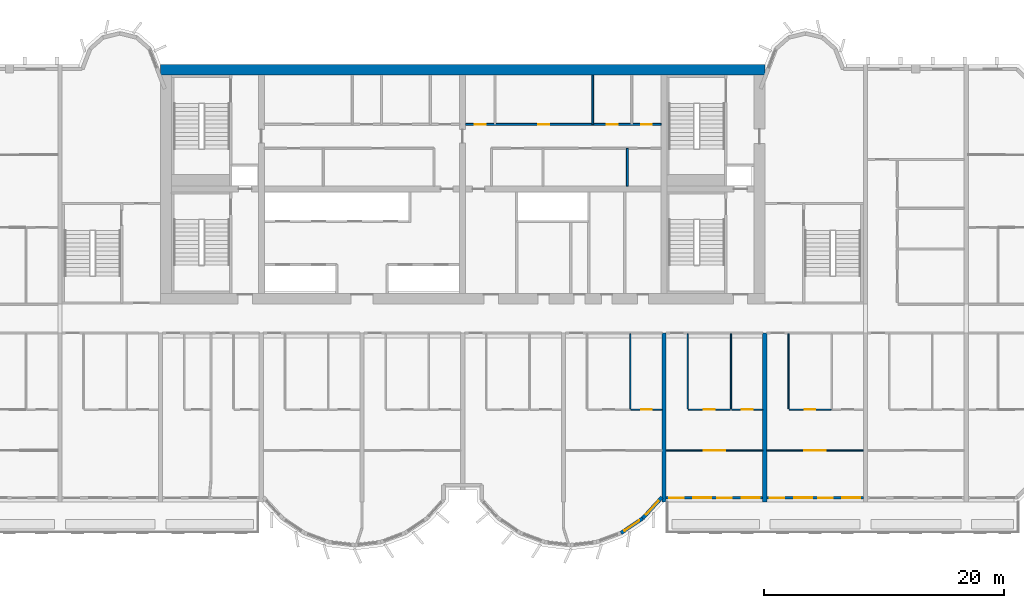
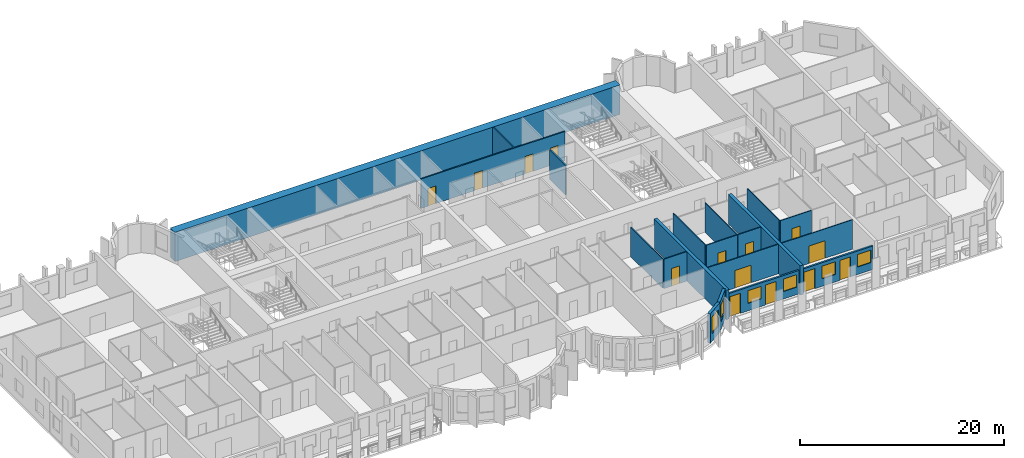
# One storey, part 8 of 15: 20 walls, 14 doors, 6 windows, 20 openings.
"""IFC4 building model written with IfcOpenShell, lengths in metres."""

import ifcopenshell
import ifcopenshell.guid

model = None  # the IFC model being written
_history = None  # IfcOwnerHistory: only IFC2X3 demands one
_inside = {}  # id of a spatial element -> (the spatial element, [elements in it])
_under = {}  # id of a project, library or spatial element -> (it, [spatial elements below it])
_declared = {}  # id of a project -> (the project, [libraries it declares])
_typed = {}  # id of a type object -> (the type object, [elements of that type])
_made_of = {}  # id of a material, layer set ... -> (it, [elements and type objects made of it])


def new_model(schema):
    """Start an empty IFC model of exactly this schema.

    Asked for "IFC4X3", IfcOpenShell would pick the latest addendum, in which some entities
    have other attributes; the version numbers below select the first issue.
    IFC2X3 requires an IfcOwnerHistory on every rooted entity: one is made here for all.
    """
    global model, _history
    if schema == "IFC4X3":
        model = ifcopenshell.file(schema_version=(4, 3, 0, 0))
    else:
        model = ifcopenshell.file(schema=schema)
    _inside.clear()
    _under.clear()
    _declared.clear()
    _typed.clear()
    _made_of.clear()
    _history = None
    if model.schema == "IFC2X3":
        org = make("IfcOrganization", Name="unknown")
        user = make(
            "IfcPersonAndOrganization",
            ThePerson=make("IfcPerson", FamilyName="unknown"),
            TheOrganization=org,
        )
        app = make(
            "IfcApplication",
            ApplicationDeveloper=org,
            Version="unknown",
            ApplicationFullName="unknown",
            ApplicationIdentifier="unknown",
        )
        _history = make(
            "IfcOwnerHistory",
            OwningUser=user,
            OwningApplication=app,
            ChangeAction="ADDED",
            CreationDate=0,
        )
    return model


def make(cls, **values):
    """One entity of the class cls with the attributes given. An attribute that is None is left unset."""
    return model.create_entity(
        cls, **{name: value for name, value in values.items() if value is not None}
    )


def rooted(cls, **values):
    """An entity with a GlobalId (a new one), such as an element, a storey or a relation."""
    return make(cls, GlobalId=ifcopenshell.guid.new(), OwnerHistory=_history, **values)


def si_unit(unit_type, name, prefix=None):
    """IfcSIUnit, for example si_unit("LENGTHUNIT", "METRE", prefix="MILLI")."""
    return make("IfcSIUnit", UnitType=unit_type, Prefix=prefix, Name=name)


def assignment(units):
    """IfcUnitAssignment: the units of a project."""
    return None if units is None else make("IfcUnitAssignment", Units=units)


def point(xyz):
    """IfcCartesianPoint."""
    return None if xyz is None else make("IfcCartesianPoint", Coordinates=xyz)


def direction(xyz):
    """IfcDirection."""
    return None if xyz is None else make("IfcDirection", DirectionRatios=xyz)


def frame(location, z_axis=None, x_axis=None):
    """IfcAxis2Placement3D, a coordinate frame: its origin and axes. An axis left out is left unset."""
    return make(
        "IfcAxis2Placement3D",
        Location=point(location),
        Axis=direction(z_axis),
        RefDirection=direction(x_axis),
    )


def frame_2d(location, x_axis=None):
    """IfcAxis2Placement2D, a coordinate frame in the plane: its origin and x axis."""
    return make(
        "IfcAxis2Placement2D", Location=point(location), RefDirection=direction(x_axis)
    )


def origin():
    """The frame at (0, 0, 0) with its axes left unset."""
    return frame((0.0, 0.0, 0.0))


def place(relative_to, where):
    """IfcLocalPlacement: puts the frame where relative to a parent placement (None: the world)."""
    return make(
        "IfcLocalPlacement", PlacementRelTo=relative_to, RelativePlacement=where
    )


def context(
    kind, dimensions, precision=None, world=None, true_north=None, identifier=None
):
    """IfcGeometricRepresentationContext, for example the 3D "Model" context."""
    return make(
        "IfcGeometricRepresentationContext",
        ContextIdentifier=identifier,
        ContextType=kind,
        CoordinateSpaceDimension=dimensions,
        Precision=precision,
        WorldCoordinateSystem=world,
        TrueNorth=true_north,
    )


def subcontext(parent, identifier, kind, view, scale=None):
    """IfcGeometricRepresentationSubContext, for example "Body" below "Model"."""
    return make(
        "IfcGeometricRepresentationSubContext",
        ContextIdentifier=identifier,
        ContextType=kind,
        ParentContext=parent,
        TargetScale=scale,
        TargetView=view,
    )


def project(units=None, contexts=None):
    """IfcProject with its units and contexts."""
    return rooted(
        "IfcProject",
        Name="project",
        RepresentationContexts=contexts,
        UnitsInContext=assignment(units),
    )


def spatial(cls, under=None, at=None, **own):
    """A site, building, storey or space (cls), placed at a placement, below another one or the project."""
    s = rooted(cls, ObjectPlacement=at, **own)
    if under is not None:
        _under.setdefault(under.id(), (under, []))[1].append(s)
    return s


def profile(cls, at=None, kind="AREA", **sizes):
    """A parametric profile (cls). Its sizes go by their IFC names, for example OverallWidth=200.0."""
    return make(cls, ProfileType=kind, Position=at, **sizes)


def rectangle(**sizes):
    """IfcRectangleProfileDef."""
    return profile("IfcRectangleProfileDef", **sizes)


def extrude(swept, where, along, depth):
    """IfcExtrudedAreaSolid: the profile swept, set in the frame where, extruded along a direction by depth."""
    return make(
        "IfcExtrudedAreaSolid",
        SweptArea=swept,
        Position=where,
        ExtrudedDirection=direction(along),
        Depth=depth,
    )


def shape(context_of_items, identifier, shape_type, items):
    """IfcShapeRepresentation: the items that make up one representation, for example the "Body"."""
    return make(
        "IfcShapeRepresentation",
        ContextOfItems=context_of_items,
        RepresentationIdentifier=identifier,
        RepresentationType=shape_type,
        Items=items,
    )


def source(mapping_origin, context_of_items, identifier, shape_type, items):
    """IfcRepresentationMap: a shape defined once, which mapped items show again and again."""
    return make(
        "IfcRepresentationMap",
        MappingOrigin=mapping_origin,
        MappedRepresentation=shape(context_of_items, identifier, shape_type, items),
    )


def transform(
    local_origin,
    x_axis=None,
    y_axis=None,
    z_axis=None,
    scale=None,
    scale2=None,
    scale3=None,
    uniform=True,
):
    """IfcCartesianTransformationOperator3D, or its non-uniform kind. x_axis, y_axis, z_axis: its Axis1, 2, 3."""
    if uniform:
        return make(
            "IfcCartesianTransformationOperator3D",
            Axis1=direction(x_axis),
            Axis2=direction(y_axis),
            LocalOrigin=point(local_origin),
            Scale=scale,
            Axis3=direction(z_axis),
        )
    return make(
        "IfcCartesianTransformationOperator3DnonUniform",
        Axis1=direction(x_axis),
        Axis2=direction(y_axis),
        LocalOrigin=point(local_origin),
        Scale=scale,
        Axis3=direction(z_axis),
        Scale2=scale2,
        Scale3=scale3,
    )


def mapped(mapping_source, mapping_target):
    """IfcMappedItem: shows the shape of a source again, moved by a transform."""
    return make(
        "IfcMappedItem", MappingSource=mapping_source, MappingTarget=mapping_target
    )


def material(Name=None, Category=None):
    """IfcMaterial."""
    return make("IfcMaterial", Name=Name, Category=Category)


def layer(
    of_material, thickness, ventilated=None, Name=None, Category=None, Priority=None
):
    """IfcMaterialLayer: one layer of a wall or slab, of a material (None: an air gap)."""
    return make(
        "IfcMaterialLayer",
        Material=of_material,
        LayerThickness=thickness,
        IsVentilated=ventilated,
        Name=Name,
        Category=Category,
        Priority=Priority,
    )


def layer_set(layers, Name=None):
    """IfcMaterialLayerSet."""
    return make("IfcMaterialLayerSet", MaterialLayers=layers, LayerSetName=Name)


def made_of(thing, what):
    """Note that an element or type object is made of a material, layer set ...; save() writes the relation."""
    if what is not None:
        _made_of.setdefault(what.id(), (what, []))[1].append(thing)
    return thing


def type_object(cls, material=None, **own):
    """A type object (cls), such as IfcWallType, which elements share."""
    return made_of(rooted(cls, **own), material)


def element(
    cls,
    number,
    at=None,
    inside=None,
    cuts=None,
    type_object=None,
    material=None,
    context=None,
    identifier="Body",
    shape_type=None,
    held_by="IfcProductDefinitionShape",
    body=None,
    shapes=None,
    **own,
):
    """One element of the class cls, such as IfcWall. Its Tag is "e" and its number.

    at: its placement. inside: the storey or other place that contains it. cuts: it is an
    opening in that element (IfcRelVoidsElement). A single representation is given by context,
    identifier, shape_type and body (its items); several are given by shapes. held_by: the class
    of the entity that holds the representations. save() writes the other relations.
    """
    e = rooted(cls, Tag="e%d" % number, ObjectPlacement=at, **own)
    if body is not None:
        shapes = [shape(context, identifier, shape_type, body)]
    if shapes is not None:
        e.Representation = make(held_by, Representations=shapes)
    if inside is not None:
        _inside.setdefault(inside.id(), (inside, []))[1].append(e)
    if cuts is not None:
        rooted(
            "IfcRelVoidsElement", RelatingBuildingElement=cuts, RelatedOpeningElement=e
        )
    if type_object is not None:
        _typed.setdefault(type_object.id(), (type_object, []))[1].append(e)
    return made_of(e, material)


def fill(opening, filler):
    """IfcRelFillsElement: the door or window that sits in an opening."""
    return rooted(
        "IfcRelFillsElement",
        RelatingOpeningElement=opening,
        RelatedBuildingElement=filler,
    )


def aggregate(whole, parts):
    """IfcRelAggregates: a whole, such as a stair, and the parts it consists of."""
    return rooted("IfcRelAggregates", RelatingObject=whole, RelatedObjects=parts)


def save(model, path):
    """Write the relations noted so far, then the file.

    IfcRelAggregates (storeys below a building ...), IfcRelContainedInSpatialStructure (elements
    in a storey), IfcRelDefinesByType, IfcRelAssociatesMaterial and IfcRelDeclares: one each for
    every whole, place, type object, material and project.
    """
    for whole, parts in _under.values():
        aggregate(whole, parts)
    for where, things in _inside.values():
        rooted(
            "IfcRelContainedInSpatialStructure",
            RelatedElements=things,
            RelatingStructure=where,
        )
    for kind, things in _typed.values():
        rooted("IfcRelDefinesByType", RelatedObjects=things, RelatingType=kind)
    for what, things in _made_of.values():
        rooted("IfcRelAssociatesMaterial", RelatedObjects=things, RelatingMaterial=what)
    for by, libraries in _declared.values():
        rooted("IfcRelDeclares", RelatingContext=by, RelatedDefinitions=libraries)
    model.write(path)


model = new_model("IFC4")

# Units and contexts
model_context = context("Model", 3, precision=1e-05, world=origin(), true_north=direction((0.0, 1.0)))
body_context = subcontext(model_context, "Body", "Model", "MODEL_VIEW")
ifc_project = project(units=[si_unit("LENGTHUNIT", "METRE"), si_unit("AREAUNIT", "SQUARE_METRE"), si_unit("VOLUMEUNIT", "CUBIC_METRE"), si_unit("PLANEANGLEUNIT", "RADIAN"), si_unit("MASSUNIT", "GRAM", prefix="KILO")], contexts=[model_context])

# Site, building, storey
site_placement = place(None, origin())
site = spatial("IfcSite", under=ifc_project, at=site_placement, CompositionType="ELEMENT")
building_placement = place(site_placement, origin())
building = spatial("IfcBuilding", under=site, at=building_placement, Name="Vanashikhar Sky Hotel", CompositionType="ELEMENT")
storey_placement = place(building_placement, frame((0.0, 0.0, 133.199951171875)))
storey = spatial("IfcBuildingStorey", under=building, at=storey_placement, Name="L32", CompositionType="ELEMENT", Elevation=133.199951171875)

# Walls
ifc_material_1 = material(Name="Concrete M70", Category="concrete")
ifc_layer_1 = layer(ifc_material_1, 0.89990234375)
ifc_layer_set_1 = layer_set([ifc_layer_1], Name="RC core shell wall 900 Concrete M70")
wall_type_1 = type_object("IfcWallType", Name="RC core shell wall 900 Concrete M70", PredefinedType="SHEAR", material=ifc_layer_set_1)
shared_shape_1 = source(origin(), body_context, "Body", "SweptSolid", [
    extrude(rectangle(XDim=50.400146484375, YDim=0.89990234375, at=frame_2d((25.2001953125, 0.0))), origin(), (0.0, 0.0, 1.0), 3.52001953125),
])
wall_1_placement = place(storey_placement, frame((25.199951171875, 41.550048828125, 0.0), z_axis=(0.0, 0.0, 1.0), x_axis=(1.0, 0.0, 0.0)))
element("IfcWall", 1, at=wall_1_placement, inside=storey, type_object=wall_type_1, Name="KW-L32-KN", PredefinedType="SHEAR", context=body_context, shape_type="MappedRepresentation", body=[
    mapped(shared_shape_1, transform((0.0, 0.0, 0.0), scale=1.0)),
])
ifc_layer_2 = layer(ifc_material_1, 0.35009765625)
ifc_layer_set_2 = layer_set([ifc_layer_2], Name="RC shear wall 350 Concrete M70")
wall_type_2 = type_object("IfcWallType", Name="RC shear wall 350 Concrete M70", PredefinedType="SHEAR", material=ifc_layer_set_2)
shared_shape_2 = source(origin(), body_context, "Body", "SweptSolid", [
    extrude(rectangle(XDim=14.10009765625, YDim=0.35009765625, at=frame_2d((7.050048828125, 0.0))), origin(), (0.0, 0.0, 1.0), 3.52001953125),
])
for number, where, z_axis, x_axis, name in (
    (2, (67.199951171875, 5.5, 0.0), (0.0, 0.0, 1.0), (0.0, 1.0, 0.0), "CW-L32-XW09-1"),
    (3, (75.60009765625, 5.5, 0.0), (0.0, 0.0, 1.0), (0.0, 1.0, 0.0), "CW-L32-XW10-1"),
):
    element("IfcWall", number, at=place(storey_placement, frame(where, z_axis=z_axis, x_axis=x_axis)), inside=storey, type_object=wall_type_2, Name=name, PredefinedType="SHEAR", context=body_context, shape_type="MappedRepresentation", body=[
        mapped(shared_shape_2, transform((0.0, 0.0, 0.0), scale=1.0)),
    ])

# Wall, opening, window
ifc_material_2 = material(Name="Concrete M50", Category="concrete")
ifc_layer_3 = layer(ifc_material_2, 0.300048828125)
ifc_layer_set_3 = layer_set([ifc_layer_3], Name="Lobe wall 300")
wall_type_3 = type_object("IfcWallType", Name="Lobe wall 300", PredefinedType="SOLIDWALL", material=ifc_layer_set_3)
shared_shape_3 = source(origin(), body_context, "Body", "SweptSolid", [
    extrude(rectangle(XDim=2.398193359375, YDim=0.300048828125, at=frame_2d((1.19921875, 0.0))), origin(), (0.0, 0.0, 1.0), 3.52001953125),
])
wall_2_placement = place(storey_placement, frame((65.404296875, 4.13134765625, 0.0), z_axis=(0.0, 0.0, 1.0), x_axis=(0.675374189419, 0.737475222815, 0.0)))
wall_2 = element("IfcWall", 4, at=wall_2_placement, inside=storey, type_object=wall_type_3, Name="Lobe wall", PredefinedType="SOLIDWALL", context=body_context, shape_type="MappedRepresentation", body=[
    mapped(shared_shape_3, transform((0.0, 0.0, 0.0), scale=1.0)),
])
shared_shape_4 = source(origin(), body_context, "Body", "SweptSolid", [
    extrude(rectangle(XDim=1.5, YDim=2.0, at=frame_2d((0.75, 1.0))), frame((0.0, 0.16015625, 0.0), z_axis=(0.0, -1.0, 0.0), x_axis=(1.0, 0.0, 0.0)), (0.0, 0.0, 1.0), 0.320068359375),
])
opening_1_placement = place(wall_2_placement, frame((0.44921875, 0.0, 0.89990234375)))
opening_1 = element("IfcOpeningElement", 5, at=opening_1_placement, cuts=wall_2, Name="Opening WN-2", PredefinedType="OPENING", context=body_context, shape_type="MappedRepresentation", body=[
    mapped(shared_shape_4, transform((0.0, 0.0, 0.0), scale=1.0)),
])
ifc_material_3 = material(Name="Glass", Category="glass")
window_type_1 = type_object("IfcWindowType", Name="Lobe window 1500 x 2000", PartitioningType="SINGLE_PANEL", PredefinedType="WINDOW", material=ifc_material_3)
shared_shape_5 = source(origin(), body_context, "Body", "SweptSolid", [
    extrude(rectangle(XDim=1.5, YDim=2.0, at=frame_2d((0.75, 1.0))), frame((0.0, 0.030029296875, 0.0), z_axis=(0.0, -1.0, 0.0), x_axis=(1.0, 0.0, 0.0)), (0.0, 0.0, 1.0), 0.06005859375),
])
window_1_placement = place(opening_1_placement, origin())
window_1 = element("IfcWindow", 6, at=window_1_placement, inside=storey, type_object=window_type_1, Name="Window WN-2", OverallHeight=2.0, OverallWidth=1.5, PartitioningType="SINGLE_PANEL", PredefinedType="WINDOW", context=body_context, shape_type="MappedRepresentation", body=[
    mapped(shared_shape_5, transform((0.0, 0.0, 0.0), scale=1.0)),
])
fill(opening_1, window_1)

shared_shape_6 = source(origin(), body_context, "Body", "SweptSolid", [
    extrude(rectangle(XDim=2.17578125, YDim=0.300048828125, at=frame_2d((1.087890625, 0.0))), origin(), (0.0, 0.0, 1.0), 3.52001953125),
])
wall_3_placement = place(storey_placement, frame((63.59912109375, 2.91650390625, 0.0), z_axis=(0.0, 0.0, 1.0), x_axis=(0.829625727223, 0.558319937607, 0.0)))
wall_3 = element("IfcWall", 7, at=wall_3_placement, inside=storey, type_object=wall_type_3, Name="Lobe wall", PredefinedType="SOLIDWALL", context=body_context, shape_type="MappedRepresentation", body=[
    mapped(shared_shape_6, transform((0.0, 0.0, 0.0), scale=1.0)),
])
opening_2_placement = place(wall_3_placement, frame((0.337890625, 0.0, 0.89990234375)))
opening_2 = element("IfcOpeningElement", 8, at=opening_2_placement, cuts=wall_3, Name="Opening WN-2", PredefinedType="OPENING", context=body_context, shape_type="MappedRepresentation", body=[
    mapped(shared_shape_4, transform((0.0, 0.0, 0.0), scale=1.0)),
])
window_2_placement = place(opening_2_placement, origin())
window_2 = element("IfcWindow", 9, at=window_2_placement, inside=storey, type_object=window_type_1, Name="Window WN-2", OverallHeight=2.0, OverallWidth=1.5, PartitioningType="SINGLE_PANEL", PredefinedType="WINDOW", context=body_context, shape_type="MappedRepresentation", body=[
    mapped(shared_shape_5, transform((0.0, 0.0, 0.0), scale=1.0)),
])
fill(opening_2, window_2)

# Wall, openings, windows, doors
ifc_layer_4 = layer(ifc_material_2, 0.199951171875)
ifc_layer_set_4 = layer_set([ifc_layer_4], Name="Front window wall 200")
wall_type_4 = type_object("IfcWallType", Name="Front window wall 200", PredefinedType="SOLIDWALL", material=ifc_layer_set_4)
shared_shape_7 = source(origin(), body_context, "Body", "SweptSolid", [
    extrude(rectangle(XDim=8.050048828125, YDim=0.199951171875, at=frame_2d((4.02490234375, 0.0))), origin(), (0.0, 0.0, 1.0), 2.820068359375),
])
wall_4_placement = place(storey_placement, frame((67.375, 5.85009765625, 0.0), z_axis=(0.0, 0.0, 1.0), x_axis=(1.0, 0.0, 0.0)))
wall_4 = element("IfcWall", 10, at=wall_4_placement, inside=storey, type_object=wall_type_4, Name="Front window wall", PredefinedType="SOLIDWALL", context=body_context, shape_type="MappedRepresentation", body=[
    mapped(shared_shape_7, transform((0.0, 0.0, 0.0), scale=1.0)),
])
shared_shape_8 = source(origin(), body_context, "Body", "SweptSolid", [
    extrude(rectangle(XDim=1.199951171875, YDim=2.39990234375, at=frame_2d((0.60009765625, 1.199951171875))), frame((0.0, 0.10986328125, 0.0), z_axis=(0.0, -1.0, 0.0), x_axis=(1.0, 0.0, 0.0)), (0.0, 0.0, 1.0), 0.219970703125),
])
opening_3_placement = place(wall_4_placement, frame((0.25, 0.0, 0.0)))
opening_3 = element("IfcOpeningElement", 11, at=opening_3_placement, cuts=wall_4, Name="Opening BD-08", PredefinedType="OPENING", context=body_context, shape_type="MappedRepresentation", body=[
    mapped(shared_shape_8, transform((0.0, 0.0, 0.0), scale=1.0)),
])
shared_shape_9 = source(origin(), body_context, "Body", "SweptSolid", [
    extrude(rectangle(XDim=1.5, YDim=1.5, at=frame_2d((0.75, 0.75))), frame((0.0, 0.10986328125, 0.0), z_axis=(0.0, -1.0, 0.0), x_axis=(1.0, 0.0, 0.0)), (0.0, 0.0, 1.0), 0.219970703125),
])
opening_4_placement = place(wall_4_placement, frame((2.27490234375, 0.0, 0.89990234375)))
opening_4 = element("IfcOpeningElement", 12, at=opening_4_placement, cuts=wall_4, Name="Opening WN-1", PredefinedType="OPENING", context=body_context, shape_type="MappedRepresentation", body=[
    mapped(shared_shape_9, transform((0.0, 0.0, 0.0), scale=1.0)),
])
opening_5_placement = place(wall_4_placement, frame((4.27490234375, 0.0, 0.0)))
opening_5 = element("IfcOpeningElement", 13, at=opening_5_placement, cuts=wall_4, Name="Opening BD-09", PredefinedType="OPENING", context=body_context, shape_type="MappedRepresentation", body=[
    mapped(shared_shape_8, transform((0.0, 0.0, 0.0), scale=1.0)),
])
opening_6_placement = place(wall_4_placement, frame((6.300048828125, 0.0, 0.89990234375)))
opening_6 = element("IfcOpeningElement", 14, at=opening_6_placement, cuts=wall_4, Name="Opening WN-1", PredefinedType="OPENING", context=body_context, shape_type="MappedRepresentation", body=[
    mapped(shared_shape_9, transform((0.0, 0.0, 0.0), scale=1.0)),
])
window_type_2 = type_object("IfcWindowType", Name="Window 1500 x 1500", PartitioningType="SINGLE_PANEL", PredefinedType="WINDOW", material=ifc_material_3)
shared_shape_10 = source(origin(), body_context, "Body", "SweptSolid", [
    extrude(rectangle(XDim=1.5, YDim=1.5, at=frame_2d((0.75, 0.75))), frame((0.0, 0.030029296875, 0.0), z_axis=(0.0, -1.0, 0.0), x_axis=(1.0, 0.0, 0.0)), (0.0, 0.0, 1.0), 0.06005859375),
])
window_3_placement = place(opening_4_placement, origin())
window_3 = element("IfcWindow", 15, at=window_3_placement, inside=storey, type_object=window_type_2, Name="Window WN-1", OverallHeight=1.5, OverallWidth=1.5, PartitioningType="SINGLE_PANEL", PredefinedType="WINDOW", context=body_context, shape_type="MappedRepresentation", body=[
    mapped(shared_shape_10, transform((0.0, 0.0, 0.0), scale=1.0)),
])
fill(opening_4, window_3)
window_4_placement = place(opening_6_placement, origin())
window_4 = element("IfcWindow", 16, at=window_4_placement, inside=storey, type_object=window_type_2, Name="Window WN-1", OverallHeight=1.5, OverallWidth=1.5, PartitioningType="SINGLE_PANEL", PredefinedType="WINDOW", context=body_context, shape_type="MappedRepresentation", body=[
    mapped(shared_shape_10, transform((0.0, 0.0, 0.0), scale=1.0)),
])
fill(opening_6, window_4)
ifc_material_4 = material(Name="Aluminium", Category="aluminium")
door_type_1 = type_object("IfcDoorType", Name="Balcony sliding door 1200 x 2400", OperationType="NOTDEFINED", PredefinedType="DOOR", material=ifc_material_4)
shared_shape_11 = source(origin(), body_context, "Body", "SweptSolid", [
    extrude(rectangle(XDim=1.199951171875, YDim=2.39990234375, at=frame_2d((0.60009765625, 1.199951171875))), frame((0.0, 0.02490234375, 0.0), z_axis=(0.0, -1.0, 0.0), x_axis=(1.0, 0.0, 0.0)), (0.0, 0.0, 1.0), 0.050048828125),
])
door_1_placement = place(opening_3_placement, origin())
door_1 = element("IfcDoor", 17, at=door_1_placement, inside=storey, type_object=door_type_1, Name="Balcony sliding door", OperationType="SLIDING_TO_RIGHT", OverallHeight=2.39990234375, OverallWidth=1.199951171875, PredefinedType="DOOR", context=body_context, shape_type="MappedRepresentation", body=[
    mapped(shared_shape_11, transform((0.0, 0.0, 0.0), scale=1.0)),
])
fill(opening_3, door_1)
door_2_placement = place(opening_5_placement, origin())
door_2 = element("IfcDoor", 18, at=door_2_placement, inside=storey, type_object=door_type_1, Name="Balcony sliding door", OperationType="SLIDING_TO_LEFT", OverallHeight=2.39990234375, OverallWidth=1.199951171875, PredefinedType="DOOR", context=body_context, shape_type="MappedRepresentation", body=[
    mapped(shared_shape_11, transform((0.0, 0.0, 0.0), scale=1.0)),
])
fill(opening_5, door_2)

wall_5_placement = place(storey_placement, frame((75.77490234375, 5.85009765625, 0.0), z_axis=(0.0, 0.0, 1.0), x_axis=(1.0, 0.0, 0.0)))
wall_5 = element("IfcWall", 19, at=wall_5_placement, inside=storey, type_object=wall_type_4, Name="Front window wall", PredefinedType="SOLIDWALL", context=body_context, shape_type="MappedRepresentation", body=[
    mapped(shared_shape_7, transform((0.0, 0.0, 0.0), scale=1.0)),
])
opening_7_placement = place(wall_5_placement, frame((0.25, 0.0, 0.0)))
opening_7 = element("IfcOpeningElement", 20, at=opening_7_placement, cuts=wall_5, Name="Opening BD-10", PredefinedType="OPENING", context=body_context, shape_type="MappedRepresentation", body=[
    mapped(shared_shape_8, transform((0.0, 0.0, 0.0), scale=1.0)),
])
opening_8_placement = place(wall_5_placement, frame((2.27490234375, 0.0, 0.89990234375)))
opening_8 = element("IfcOpeningElement", 21, at=opening_8_placement, cuts=wall_5, Name="Opening WN-1", PredefinedType="OPENING", context=body_context, shape_type="MappedRepresentation", body=[
    mapped(shared_shape_9, transform((0.0, 0.0, 0.0), scale=1.0)),
])
opening_9_placement = place(wall_5_placement, frame((4.27490234375, 0.0, 0.0)))
opening_9 = element("IfcOpeningElement", 22, at=opening_9_placement, cuts=wall_5, Name="Opening BD-11", PredefinedType="OPENING", context=body_context, shape_type="MappedRepresentation", body=[
    mapped(shared_shape_8, transform((0.0, 0.0, 0.0), scale=1.0)),
])
opening_10_placement = place(wall_5_placement, frame((6.300048828125, 0.0, 0.89990234375)))
opening_10 = element("IfcOpeningElement", 23, at=opening_10_placement, cuts=wall_5, Name="Opening WN-1", PredefinedType="OPENING", context=body_context, shape_type="MappedRepresentation", body=[
    mapped(shared_shape_9, transform((0.0, 0.0, 0.0), scale=1.0)),
])
window_5_placement = place(opening_8_placement, origin())
window_5 = element("IfcWindow", 24, at=window_5_placement, inside=storey, type_object=window_type_2, Name="Window WN-1", OverallHeight=1.5, OverallWidth=1.5, PartitioningType="SINGLE_PANEL", PredefinedType="WINDOW", context=body_context, shape_type="MappedRepresentation", body=[
    mapped(shared_shape_10, transform((0.0, 0.0, 0.0), scale=1.0)),
])
fill(opening_8, window_5)
window_6_placement = place(opening_10_placement, origin())
window_6 = element("IfcWindow", 25, at=window_6_placement, inside=storey, type_object=window_type_2, Name="Window WN-1", OverallHeight=1.5, OverallWidth=1.5, PartitioningType="SINGLE_PANEL", PredefinedType="WINDOW", context=body_context, shape_type="MappedRepresentation", body=[
    mapped(shared_shape_10, transform((0.0, 0.0, 0.0), scale=1.0)),
])
fill(opening_10, window_6)
door_3_placement = place(opening_7_placement, origin())
door_3 = element("IfcDoor", 26, at=door_3_placement, inside=storey, type_object=door_type_1, Name="Balcony sliding door", OperationType="SLIDING_TO_RIGHT", OverallHeight=2.39990234375, OverallWidth=1.199951171875, PredefinedType="DOOR", context=body_context, shape_type="MappedRepresentation", body=[
    mapped(shared_shape_11, transform((0.0, 0.0, 0.0), scale=1.0)),
])
fill(opening_7, door_3)
door_4_placement = place(opening_9_placement, origin())
door_4 = element("IfcDoor", 27, at=door_4_placement, inside=storey, type_object=door_type_1, Name="Balcony sliding door", OperationType="SLIDING_TO_LEFT", OverallHeight=2.39990234375, OverallWidth=1.199951171875, PredefinedType="DOOR", context=body_context, shape_type="MappedRepresentation", body=[
    mapped(shared_shape_11, transform((0.0, 0.0, 0.0), scale=1.0)),
])
fill(opening_9, door_4)

# Walls
ifc_material_5 = material(Name="Gypsum board partition")
ifc_layer_5 = layer(ifc_material_5, 0.14990234375)
ifc_layer_set_5 = layer_set([ifc_layer_5], Name="Service partition 150")
wall_type_5 = type_object("IfcWallType", Name="Service partition 150", PredefinedType="PARTITIONING", material=ifc_layer_set_5)
shared_shape_12 = source(origin(), body_context, "Body", "SweptSolid", [
    extrude(rectangle(XDim=3.14990234375, YDim=0.14990234375, at=frame_2d((1.574951171875, 0.0))), origin(), (0.0, 0.0, 1.0), 3.52001953125),
])
wall_6_placement = place(storey_placement, frame((64.135009765625, 31.85009765625, 0.0), z_axis=(0.0, 0.0, 1.0), x_axis=(0.0, 1.0, 0.0)))
element("IfcWall", 28, at=wall_6_placement, inside=storey, type_object=wall_type_5, Name="Service partition 150", PredefinedType="PARTITIONING", context=body_context, shape_type="MappedRepresentation", body=[
    mapped(shared_shape_12, transform((0.0, 0.0, 0.0), scale=1.0)),
])
shared_shape_13 = source(origin(), body_context, "Body", "SweptSolid", [
    extrude(rectangle(XDim=4.10009765625, YDim=0.14990234375, at=frame_2d((2.050048828125, 0.0))), origin(), (0.0, 0.0, 1.0), 3.52001953125),
])
wall_7_placement = place(storey_placement, frame((61.2451171875, 37.0, 0.0), z_axis=(0.0, 0.0, 1.0), x_axis=(0.0, 1.0, 0.0)))
element("IfcWall", 29, at=wall_7_placement, inside=storey, type_object=wall_type_5, Name="Service partition 150", PredefinedType="PARTITIONING", context=body_context, shape_type="MappedRepresentation", body=[
    mapped(shared_shape_13, transform((0.0, 0.0, 0.0), scale=1.0)),
])

# Wall, openings, doors
shared_shape_14 = source(origin(), body_context, "Body", "SweptSolid", [
    extrude(rectangle(XDim=16.300048828125, YDim=0.14990234375, at=frame_2d((8.14990234375, 0.0))), origin(), (0.0, 0.0, 1.0), 3.52001953125),
])
wall_8_placement = place(storey_placement, frame((66.949951171875, 37.0, 0.0), z_axis=(0.0, 0.0, 1.0), x_axis=(-1.0, 0.0, 0.0)))
wall_8 = element("IfcWall", 30, at=wall_8_placement, inside=storey, type_object=wall_type_5, Name="Service partition 150", PredefinedType="PARTITIONING", context=body_context, shape_type="MappedRepresentation", body=[
    mapped(shared_shape_14, transform((0.0, 0.0, 0.0), scale=1.0)),
])
shared_shape_15 = source(origin(), body_context, "Body", "SweptSolid", [
    extrude(rectangle(XDim=0.89990234375, YDim=2.10009765625, at=frame_2d((0.449951171875, 1.050048828125))), frame((0.0, 0.0849609375, 0.0), z_axis=(0.0, -1.0, 0.0), x_axis=(1.0, 0.0, 0.0)), (0.0, 0.0, 1.0), 0.169921875),
])
opening_11_placement = place(wall_8_placement, frame((0.77294921875, 0.0, 0.0)))
opening_11 = element("IfcOpeningElement", 31, at=opening_11_placement, cuts=wall_8, Name="Opening DC-4-A", PredefinedType="OPENING", context=body_context, shape_type="MappedRepresentation", body=[
    mapped(shared_shape_15, transform((0.0, 0.0, 0.0), scale=1.0)),
])
opening_12_placement = place(wall_8_placement, frame((3.625, 0.0, 0.0)))
opening_12 = element("IfcOpeningElement", 32, at=opening_12_placement, cuts=wall_8, Name="Opening DC-4-A", PredefinedType="OPENING", context=body_context, shape_type="MappedRepresentation", body=[
    mapped(shared_shape_15, transform((0.0, 0.0, 0.0), scale=1.0)),
])
opening_13_placement = place(wall_8_placement, frame((9.330078125, 0.0, 0.0)))
opening_13 = element("IfcOpeningElement", 33, at=opening_13_placement, cuts=wall_8, Name="Opening DC-4-A", PredefinedType="OPENING", context=body_context, shape_type="MappedRepresentation", body=[
    mapped(shared_shape_15, transform((0.0, 0.0, 0.0), scale=1.0)),
])
opening_14_placement = place(wall_8_placement, frame((14.626953125, 0.0, 0.0)))
opening_14 = element("IfcOpeningElement", 34, at=opening_14_placement, cuts=wall_8, Name="Opening DC-4-A", PredefinedType="OPENING", context=body_context, shape_type="MappedRepresentation", body=[
    mapped(shared_shape_15, transform((0.0, 0.0, 0.0), scale=1.0)),
])
ifc_material_6 = material(Name="Steel", Category="steel")
door_type_2 = type_object("IfcDoorType", Name="Service door 900 FD60", OperationType="NOTDEFINED", PredefinedType="DOOR", material=ifc_material_6)
shared_shape_16 = source(origin(), body_context, "Body", "SweptSolid", [
    extrude(rectangle(XDim=0.89990234375, YDim=2.10009765625, at=frame_2d((0.449951171875, 1.050048828125))), frame((0.0, 0.02490234375, 0.0), z_axis=(0.0, -1.0, 0.0), x_axis=(1.0, 0.0, 0.0)), (0.0, 0.0, 1.0), 0.050048828125),
])
door_5_placement = place(opening_11_placement, origin())
door_5 = element("IfcDoor", 35, at=door_5_placement, inside=storey, type_object=door_type_2, Name="Service door 900 FD60", OperationType="SINGLE_SWING_LEFT", OverallHeight=2.10009765625, OverallWidth=0.89990234375, PredefinedType="DOOR", context=body_context, shape_type="MappedRepresentation", body=[
    mapped(shared_shape_16, transform((0.0, 0.0, 0.0), scale=1.0)),
])
fill(opening_11, door_5)
door_6_placement = place(opening_12_placement, origin())
door_6 = element("IfcDoor", 36, at=door_6_placement, inside=storey, type_object=door_type_2, Name="Service door 900 FD60", OperationType="SINGLE_SWING_RIGHT", OverallHeight=2.10009765625, OverallWidth=0.89990234375, PredefinedType="DOOR", context=body_context, shape_type="MappedRepresentation", body=[
    mapped(shared_shape_16, transform((0.0, 0.0, 0.0), scale=1.0)),
])
fill(opening_12, door_6)
door_7_placement = place(opening_13_placement, origin())
door_7 = element("IfcDoor", 37, at=door_7_placement, inside=storey, type_object=door_type_2, Name="Service door 900 FD60", OperationType="SINGLE_SWING_RIGHT", OverallHeight=2.10009765625, OverallWidth=0.89990234375, PredefinedType="DOOR", context=body_context, shape_type="MappedRepresentation", body=[
    mapped(shared_shape_16, transform((0.0, 0.0, 0.0), scale=1.0)),
])
fill(opening_13, door_7)
door_8_placement = place(opening_14_placement, origin())
door_8 = element("IfcDoor", 38, at=door_8_placement, inside=storey, type_object=door_type_2, Name="Service door 900 FD60", OperationType="SINGLE_SWING_RIGHT", OverallHeight=2.10009765625, OverallWidth=0.89990234375, PredefinedType="DOOR", context=body_context, shape_type="MappedRepresentation", body=[
    mapped(shared_shape_16, transform((0.0, 0.0, 0.0), scale=1.0)),
])
fill(opening_14, door_8)

# Wall, opening, door
ifc_material_7 = material(Name="Gypsum plasterboard partition")
ifc_layer_6 = layer(ifc_material_7, 0.10009765625)
ifc_layer_set_6 = layer_set([ifc_layer_6], Name="Wet room partition 100")
wall_type_6 = type_object("IfcWallType", Name="Wet room partition 100", PredefinedType="PARTITIONING", material=ifc_layer_set_6)
shared_shape_17 = source(origin(), body_context, "Body", "SweptSolid", [
    extrude(rectangle(XDim=3.5, YDim=0.10009765625, at=frame_2d((1.75, 0.0))), origin(), (0.0, 0.0, 1.0), 3.52001953125),
])
wall_9_placement = place(storey_placement, frame((69.22509765625, 13.199951171875, 0.0), z_axis=(0.0, 0.0, 1.0), x_axis=(1.0, 0.0, 0.0)))
wall_9 = element("IfcWall", 39, at=wall_9_placement, inside=storey, type_object=wall_type_6, Name="W-L32-PW049", PredefinedType="PARTITIONING", context=body_context, shape_type="MappedRepresentation", body=[
    mapped(shared_shape_17, transform((0.0, 0.0, 0.0), scale=1.0)),
])
shared_shape_18 = source(origin(), body_context, "Body", "SweptSolid", [
    extrude(rectangle(XDim=0.89990234375, YDim=2.10009765625, at=frame_2d((0.449951171875, 1.050048828125))), frame((0.0, 0.06005859375, 0.0), z_axis=(0.0, -1.0, 0.0), x_axis=(1.0, 0.0, 0.0)), (0.0, 0.0, 1.0), 0.1201171875),
])
opening_15_placement = place(wall_9_placement, frame((1.300048828125, 0.0, 0.0)))
opening_15 = element("IfcOpeningElement", 40, at=opening_15_placement, cuts=wall_9, Name="Opening D-02", PredefinedType="OPENING", context=body_context, shape_type="MappedRepresentation", body=[
    mapped(shared_shape_18, transform((0.0, 0.0, 0.0), scale=1.0)),
])
ifc_material_8 = material(Name="Timber door", Category="wood")
door_type_3 = type_object("IfcDoorType", Name="Internal door 900", OperationType="NOTDEFINED", PredefinedType="DOOR", material=ifc_material_8)
door_9_placement = place(opening_15_placement, origin())
door_9 = element("IfcDoor", 41, at=door_9_placement, inside=storey, type_object=door_type_3, Name="D-L32-030", OperationType="SINGLE_SWING_LEFT", OverallHeight=2.10009765625, OverallWidth=0.89990234375, PredefinedType="DOOR", context=body_context, shape_type="MappedRepresentation", body=[
    mapped(shared_shape_16, transform((0.0, 0.0, 0.0), scale=1.0)),
])
fill(opening_15, door_9)

wall_10_placement = place(storey_placement, frame((77.625, 13.199951171875, 0.0), z_axis=(0.0, 0.0, 1.0), x_axis=(1.0, 0.0, 0.0)))
wall_10 = element("IfcWall", 42, at=wall_10_placement, inside=storey, type_object=wall_type_6, Name="W-L32-PW055", PredefinedType="PARTITIONING", context=body_context, shape_type="MappedRepresentation", body=[
    mapped(shared_shape_17, transform((0.0, 0.0, 0.0), scale=1.0)),
])
opening_16_placement = place(wall_10_placement, frame((1.300048828125, 0.0, 0.0)))
opening_16 = element("IfcOpeningElement", 43, at=opening_16_placement, cuts=wall_10, Name="Opening D-02", PredefinedType="OPENING", context=body_context, shape_type="MappedRepresentation", body=[
    mapped(shared_shape_18, transform((0.0, 0.0, 0.0), scale=1.0)),
])
door_10_placement = place(opening_16_placement, origin())
door_10 = element("IfcDoor", 44, at=door_10_placement, inside=storey, type_object=door_type_3, Name="D-L32-034", OperationType="SINGLE_SWING_LEFT", OverallHeight=2.10009765625, OverallWidth=0.89990234375, PredefinedType="DOOR", context=body_context, shape_type="MappedRepresentation", body=[
    mapped(shared_shape_16, transform((0.0, 0.0, 0.0), scale=1.0)),
])
fill(opening_16, door_10)

# Walls
shared_shape_19 = source(origin(), body_context, "Body", "SweptSolid", [
    extrude(rectangle(XDim=6.25, YDim=0.10009765625, at=frame_2d((3.125, 0.0))), origin(), (0.0, 0.0, 1.0), 3.52001953125),
])
for number, where, z_axis, x_axis, name in (
    (45, (64.375, 13.27490234375, 0.0), (0.0, 0.0, 1.0), (0.0, 1.0, 0.0), "W-L32-PW042"),
    (46, (69.175048828125, 13.27490234375, 0.0), (0.0, 0.0, 1.0), (0.0, 1.0, 0.0), "W-L32-PW047"),
    (47, (72.77490234375, 13.27490234375, 0.0), (0.0, 0.0, 1.0), (0.0, 1.0, 0.0), "W-L32-PW048"),
    (48, (77.574951171875, 13.27490234375, 0.0), (0.0, 0.0, 1.0), (0.0, 1.0, 0.0), "W-L32-PW053"),
):
    element("IfcWall", number, at=place(storey_placement, frame(where, z_axis=z_axis, x_axis=x_axis)), inside=storey, type_object=wall_type_6, Name=name, PredefinedType="PARTITIONING", context=body_context, shape_type="MappedRepresentation", body=[
        mapped(shared_shape_19, transform((0.0, 0.0, 0.0), scale=1.0)),
    ])

# Wall, opening, door
shared_shape_20 = source(origin(), body_context, "Body", "SweptSolid", [
    extrude(rectangle(XDim=2.60009765625, YDim=0.10009765625, at=frame_2d((1.300048828125, 0.0))), origin(), (0.0, 0.0, 1.0), 3.52001953125),
])
wall_11_placement = place(storey_placement, frame((72.824951171875, 13.199951171875, 0.0), z_axis=(0.0, 0.0, 1.0), x_axis=(1.0, 0.0, 0.0)))
wall_11 = element("IfcWall", 49, at=wall_11_placement, inside=storey, type_object=wall_type_6, Name="W-L32-PW050", PredefinedType="PARTITIONING", context=body_context, shape_type="MappedRepresentation", body=[
    mapped(shared_shape_20, transform((0.0, 0.0, 0.0), scale=1.0)),
])
opening_17_placement = place(wall_11_placement, frame((0.85009765625, 0.0, 0.0)))
opening_17 = element("IfcOpeningElement", 50, at=opening_17_placement, cuts=wall_11, Name="Opening D-02", PredefinedType="OPENING", context=body_context, shape_type="MappedRepresentation", body=[
    mapped(shared_shape_18, transform((0.0, 0.0, 0.0), scale=1.0)),
])
door_11_placement = place(opening_17_placement, origin())
door_11 = element("IfcDoor", 51, at=door_11_placement, inside=storey, type_object=door_type_3, Name="D-L32-031", OperationType="SINGLE_SWING_LEFT", OverallHeight=2.10009765625, OverallWidth=0.89990234375, PredefinedType="DOOR", context=body_context, shape_type="MappedRepresentation", body=[
    mapped(shared_shape_16, transform((0.0, 0.0, 0.0), scale=1.0)),
])
fill(opening_17, door_11)

shared_shape_21 = source(origin(), body_context, "Body", "SweptSolid", [
    extrude(rectangle(XDim=2.599853515625, YDim=0.10009765625, at=frame_2d((1.2998046875, 0.0))), origin(), (0.0, 0.0, 1.0), 3.52001953125),
])
wall_12_placement = place(storey_placement, frame((64.425048828125, 13.199951171875, 0.0), z_axis=(0.0, 0.0, 1.0), x_axis=(1.0, 0.0, 0.0)))
wall_12 = element("IfcWall", 52, at=wall_12_placement, inside=storey, type_object=wall_type_6, Name="W-L32-PW044", PredefinedType="PARTITIONING", context=body_context, shape_type="MappedRepresentation", body=[
    mapped(shared_shape_21, transform((0.0, 0.0, 0.0), scale=1.0)),
])
opening_18_placement = place(wall_12_placement, frame((0.85009765625, 0.0, 0.0)))
opening_18 = element("IfcOpeningElement", 53, at=opening_18_placement, cuts=wall_12, Name="Opening D-02", PredefinedType="OPENING", context=body_context, shape_type="MappedRepresentation", body=[
    mapped(shared_shape_18, transform((0.0, 0.0, 0.0), scale=1.0)),
])
door_12_placement = place(opening_18_placement, origin())
door_12 = element("IfcDoor", 54, at=door_12_placement, inside=storey, type_object=door_type_3, Name="D-L32-027", OperationType="SINGLE_SWING_LEFT", OverallHeight=2.10009765625, OverallWidth=0.89990234375, PredefinedType="DOOR", context=body_context, shape_type="MappedRepresentation", body=[
    mapped(shared_shape_16, transform((0.0, 0.0, 0.0), scale=1.0)),
])
fill(opening_18, door_12)

shared_shape_22 = source(origin(), body_context, "Body", "SweptSolid", [
    extrude(rectangle(XDim=8.050048828125, YDim=0.10009765625, at=frame_2d((4.02490234375, 0.0))), origin(), (0.0, 0.0, 1.0), 3.52001953125),
])
wall_13_placement = place(storey_placement, frame((67.375, 9.802001953125, 0.0), z_axis=(0.0, 0.0, 1.0), x_axis=(1.0, 0.0, 0.0)))
wall_13 = element("IfcWall", 55, at=wall_13_placement, inside=storey, type_object=wall_type_6, Name="W-L32-PW051", PredefinedType="PARTITIONING", context=body_context, shape_type="MappedRepresentation", body=[
    mapped(shared_shape_22, transform((0.0, 0.0, 0.0), scale=1.0)),
])
shared_shape_23 = source(origin(), body_context, "Body", "SweptSolid", [
    extrude(rectangle(XDim=1.800048828125, YDim=2.10009765625, at=frame_2d((0.89990234375, 1.050048828125))), frame((0.0, 0.06005859375, 0.0), z_axis=(0.0, -1.0, 0.0), x_axis=(1.0, 0.0, 0.0)), (0.0, 0.0, 1.0), 0.1201171875),
])
opening_19_placement = place(wall_13_placement, frame((3.125, 0.0, 0.0)))
opening_19 = element("IfcOpeningElement", 56, at=opening_19_placement, cuts=wall_13, Name="Opening D-08", PredefinedType="OPENING", context=body_context, shape_type="MappedRepresentation", body=[
    mapped(shared_shape_23, transform((0.0, 0.0, 0.0), scale=1.0)),
])
door_type_4 = type_object("IfcDoorType", Name="Double leaf door 1800", OperationType="NOTDEFINED", PredefinedType="DOOR", material=ifc_material_8)
shared_shape_24 = source(origin(), body_context, "Body", "SweptSolid", [
    extrude(rectangle(XDim=1.800048828125, YDim=2.10009765625, at=frame_2d((0.89990234375, 1.050048828125))), frame((0.0, 0.02490234375, 0.0), z_axis=(0.0, -1.0, 0.0), x_axis=(1.0, 0.0, 0.0)), (0.0, 0.0, 1.0), 0.050048828125),
])
door_13_placement = place(opening_19_placement, origin())
door_13 = element("IfcDoor", 57, at=door_13_placement, inside=storey, type_object=door_type_4, Name="D-L32-032", OperationType="DOUBLE_DOOR_SINGLE_SWING", OverallHeight=2.10009765625, OverallWidth=1.800048828125, PredefinedType="DOOR", context=body_context, shape_type="MappedRepresentation", body=[
    mapped(shared_shape_24, transform((0.0, 0.0, 0.0), scale=1.0)),
])
fill(opening_19, door_13)

wall_14_placement = place(storey_placement, frame((75.77490234375, 9.802001953125, 0.0), z_axis=(0.0, 0.0, 1.0), x_axis=(1.0, 0.0, 0.0)))
wall_14 = element("IfcWall", 58, at=wall_14_placement, inside=storey, type_object=wall_type_6, Name="W-L32-PW057", PredefinedType="PARTITIONING", context=body_context, shape_type="MappedRepresentation", body=[
    mapped(shared_shape_22, transform((0.0, 0.0, 0.0), scale=1.0)),
])
opening_20_placement = place(wall_14_placement, frame((3.125, 0.0, 0.0)))
opening_20 = element("IfcOpeningElement", 59, at=opening_20_placement, cuts=wall_14, Name="Opening D-08", PredefinedType="OPENING", context=body_context, shape_type="MappedRepresentation", body=[
    mapped(shared_shape_23, transform((0.0, 0.0, 0.0), scale=1.0)),
])
door_14_placement = place(opening_20_placement, origin())
door_14 = element("IfcDoor", 60, at=door_14_placement, inside=storey, type_object=door_type_4, Name="D-L32-036", OperationType="DOUBLE_DOOR_SINGLE_SWING", OverallHeight=2.10009765625, OverallWidth=1.800048828125, PredefinedType="DOOR", context=body_context, shape_type="MappedRepresentation", body=[
    mapped(shared_shape_24, transform((0.0, 0.0, 0.0), scale=1.0)),
])
fill(opening_20, door_14)

save(model, "model.ifc")
